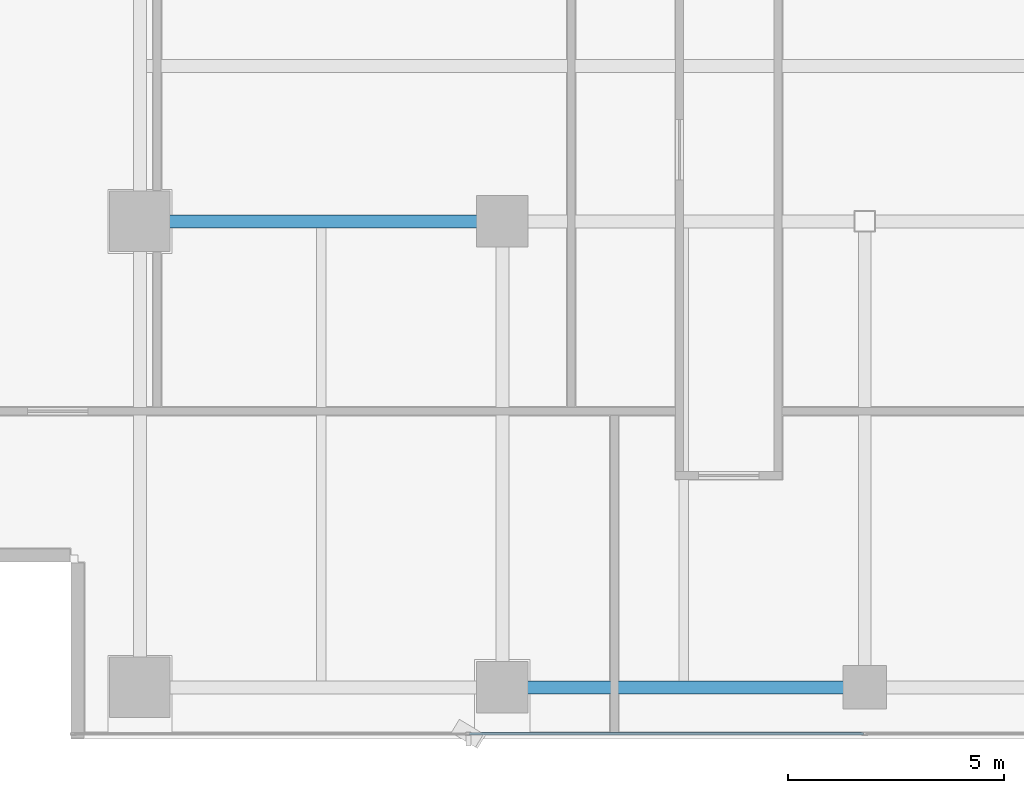
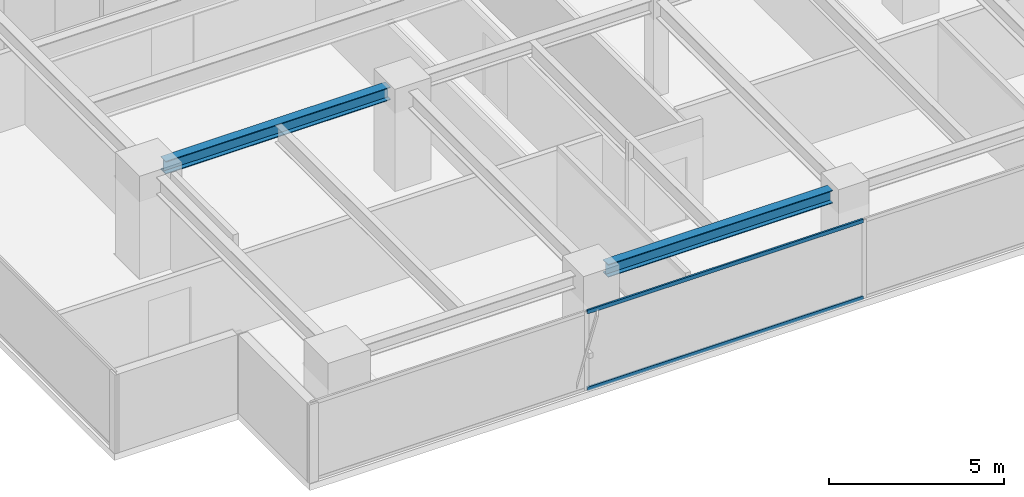
# One storey, part 5 of 26: 2 beams, 2 members, 1 element without a shape of its own.
"""IFC4 building model written with IfcOpenShell, lengths in metres."""

from ifc_helpers import new_model, si_unit, direction, frame, origin, origin_2d, place, context, subcontext, project, spatial, hollow_rectangle, i_section, extrude, source, transform, mapped, material, layer, layer_set, material_profile, profile_set, type_object, element, aggregate, save


model = new_model("IFC4")

# Units and contexts
model_context = context("Model", 3, precision=1e-05, world=origin(), true_north=direction((0.0, 1.0)))
body_context = subcontext(model_context, "Body", "Model", "MODEL_VIEW")
ifc_project = project(units=[si_unit("LENGTHUNIT", "METRE"), si_unit("AREAUNIT", "SQUARE_METRE"), si_unit("VOLUMEUNIT", "CUBIC_METRE"), si_unit("PLANEANGLEUNIT", "RADIAN"), si_unit("MASSUNIT", "GRAM", prefix="KILO")], contexts=[model_context])

# Site, building, storey
site_placement = place(None, origin())
site = spatial("IfcSite", under=ifc_project, at=site_placement, CompositionType="ELEMENT")
building_placement = place(site_placement, origin())
building = spatial("IfcBuilding", under=site, at=building_placement, Name="Sumidabori Civic Tower", CompositionType="ELEMENT")
storey_placement = place(building_placement, frame((0.0, 0.0, 264.800048828125)))
storey = spatial("IfcBuildingStorey", under=building, at=storey_placement, Name="L69", CompositionType="ELEMENT", Elevation=264.800048828125)

# Beams
ifc_material_1 = material(Name="Steel SN490", Category="steel")
ifc_material_profile_1 = material_profile(ifc_material_1, i_section(OverallWidth=0.300048828125, OverallDepth=0.449951171875, WebThickness=0.013916015625, FlangeThickness=0.02587890625, at=origin_2d()), Name="HE 450 B")
ifc_profile_set_1 = profile_set([ifc_material_profile_1], Name="Steel SN490")
beam_type = type_object("IfcBeamType", Name="BM-GIRD-450", PredefinedType="BEAM", material=ifc_profile_set_1)
shared_shape_1 = source(origin(), body_context, "Body", "SweptSolid", [
    extrude(i_section(OverallWidth=0.300048828125, OverallDepth=0.449951171875, WebThickness=0.013916015625, FlangeThickness=0.02587890625, at=origin_2d()), origin(), (0.0, 0.0, 1.0), 7.440185546875),
])
beam_1_placement = place(storey_placement, frame((-16.320068359375, 0.0, 3.14501953125), z_axis=(1.0, 0.0, 0.0), x_axis=(0.0, 1.0, 0.0)))
element("IfcBeam", 1, at=beam_1_placement, inside=storey, type_object=beam_type, Name="Primary Girder L69 GX-05", PredefinedType="BEAM", context=body_context, shape_type="MappedRepresentation", body=[
    mapped(shared_shape_1, transform((0.0, 0.0, 0.0), x_axis=(1.0, 0.0, 0.0), y_axis=(0.0, 1.0, 0.0), z_axis=(0.0, 0.0, 1.0), scale=1.0)),
])
shared_shape_2 = source(origin(), body_context, "Body", "SweptSolid", [
    extrude(i_section(OverallWidth=0.300048828125, OverallDepth=0.449951171875, WebThickness=0.013916015625, FlangeThickness=0.02587890625, at=origin_2d()), origin(), (0.0, 0.0, 1.0), 7.43994140625),
])
beam_2_placement = place(storey_placement, frame((-7.919921875, -10.800048828125, 3.14501953125), z_axis=(1.0, 0.0, 0.0), x_axis=(0.0, 1.0, 0.0)))
element("IfcBeam", 2, at=beam_2_placement, inside=storey, type_object=beam_type, Name="Primary Girder L69 GX-02", PredefinedType="BEAM", context=body_context, shape_type="MappedRepresentation", body=[
    mapped(shared_shape_2, transform((0.0, 0.0, 0.0), x_axis=(1.0, 0.0, 0.0), y_axis=(0.0, 1.0, 0.0), z_axis=(0.0, 0.0, 1.0), scale=1.0)),
])

# Curtain wall, members
ifc_material_2 = material(Name="Anodised Bronze Aluminium AW-6063-T6", Category="aluminium")
ifc_layer = layer(ifc_material_2, 0.179931640625, Name="Anodised Bronze Aluminium AW-6063-T6")
ifc_layer_set = layer_set([ifc_layer], Name="Anodised Bronze Aluminium AW-6063-T6")
curtain_wall_type = type_object("IfcCurtainWallType", Name="CW-SYS-5", PredefinedType="NOTDEFINED", material=ifc_layer_set)
curtain_wall_placement = place(storey_placement, origin())
curtain_wall = element("IfcCurtainWall", 3, at=curtain_wall_placement, inside=storey, type_object=curtain_wall_type, Name="Curtain Wall CW:L69:R01", PredefinedType="NOTDEFINED")
ifc_material_profile_2 = material_profile(ifc_material_2, hollow_rectangle(XDim=0.06005859375, YDim=0.1298828125, WallThickness=0.0048828125, at=origin_2d()), Name="ALU TRANSOM 130x60")
ifc_profile_set_2 = profile_set([ifc_material_profile_2], Name="Anodised Bronze Aluminium AW-6063-T6")
member_type = type_object("IfcMemberType", Name="CW-TRN-130", PredefinedType="USERDEFINED", material=ifc_profile_set_2)
shared_shape_3 = source(origin(), body_context, "Body", "SweptSolid", [
    extrude(hollow_rectangle(XDim=0.06005859375, YDim=0.1298828125, WallThickness=0.0048828125, at=origin_2d()), origin(), (0.0, 0.0, 1.0), 9.125),
])
member_1_placement = place(storey_placement, frame((-9.155029296875, -11.8798828125, 0.030029296875), z_axis=(1.0, 0.0, 0.0), x_axis=(0.0, 1.0, 0.0)))
member_1 = element("IfcMember", 4, at=member_1_placement, type_object=member_type, Name="CW-5 transom 2.1", ObjectType="TRANSOM", PredefinedType="USERDEFINED", context=body_context, shape_type="MappedRepresentation", body=[
    mapped(shared_shape_3, transform((0.0, 0.0, 0.0), x_axis=(1.0, 0.0, 0.0), y_axis=(0.0, 1.0, 0.0), z_axis=(0.0, 0.0, 1.0), scale=1.0)),
])
member_2_placement = place(storey_placement, frame((-9.155029296875, -11.8798828125, 2.719970703125), z_axis=(1.0, 0.0, 0.0), x_axis=(0.0, 1.0, 0.0)))
member_2 = element("IfcMember", 5, at=member_2_placement, type_object=member_type, Name="CW-5 transom 2.2", ObjectType="TRANSOM", PredefinedType="USERDEFINED", context=body_context, shape_type="MappedRepresentation", body=[
    mapped(shared_shape_3, transform((0.0, 0.0, 0.0), x_axis=(1.0, 0.0, 0.0), y_axis=(0.0, 1.0, 0.0), z_axis=(0.0, 0.0, 1.0), scale=1.0)),
])
aggregate(curtain_wall, [member_1, member_2])

save(model, "model.ifc")
